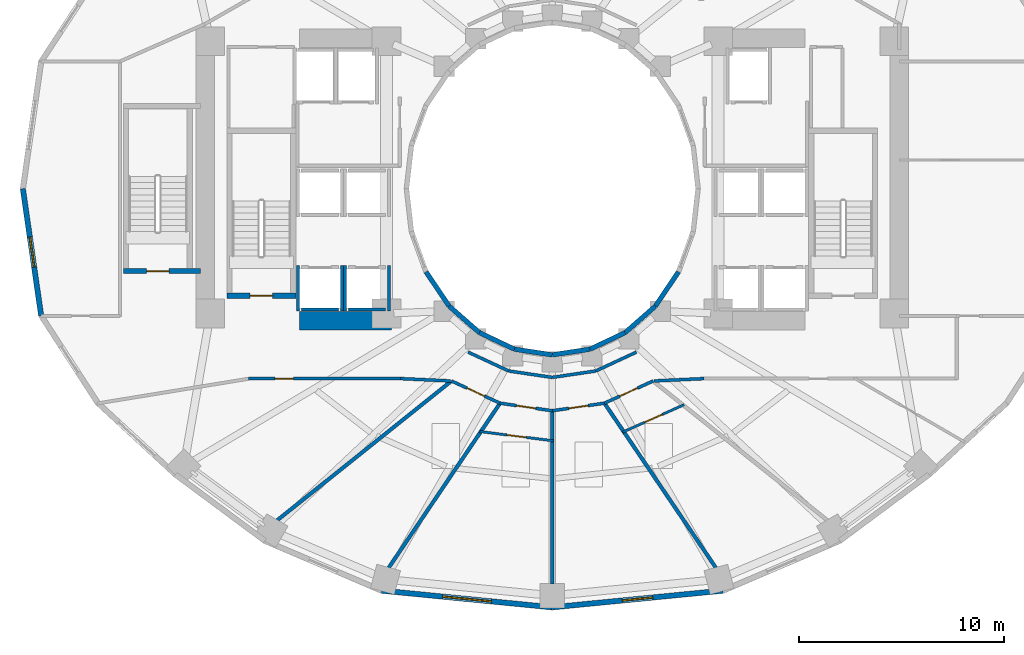
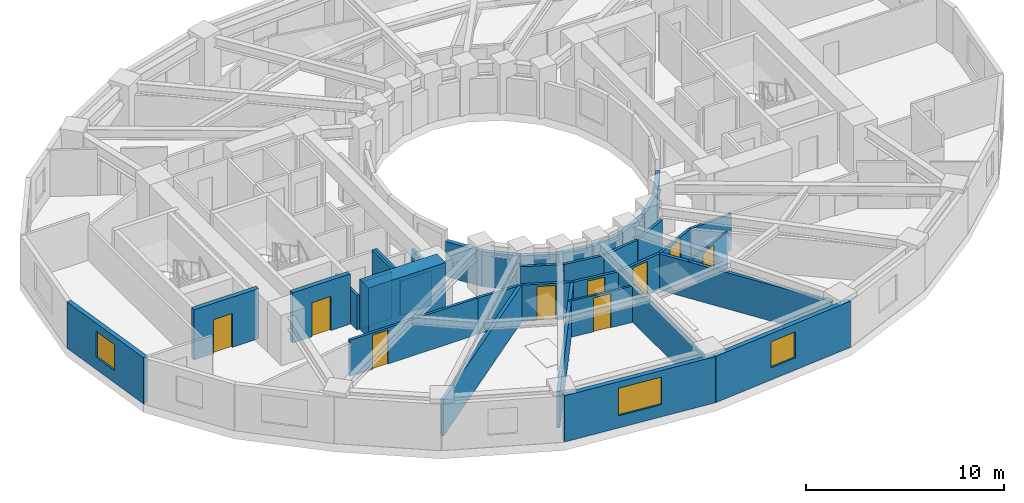
# One storey, part 3 of 9: 37 walls, 9 doors, 3 windows, 12 openings.
"""IFC4 building model written with IfcOpenShell, lengths in metres."""

from ifc_helpers import new_model, si_unit, direction, frame, frame_2d, origin, place, context, subcontext, project, spatial, rectangle, extrude, material, layer, layer_set, type_object, element, fill, save


model = new_model("IFC4")

# Units and contexts
model_context = context("Model", 3, precision=1e-05, world=origin(), true_north=direction((0.0, 1.0)))
body_context = subcontext(model_context, "Body", "Model", "MODEL_VIEW")
ifc_project = project(units=[si_unit("LENGTHUNIT", "METRE"), si_unit("AREAUNIT", "SQUARE_METRE"), si_unit("VOLUMEUNIT", "CUBIC_METRE"), si_unit("PLANEANGLEUNIT", "RADIAN"), si_unit("MASSUNIT", "GRAM", prefix="KILO")], contexts=[model_context])

# Site, building, storey
site_placement = place(None, origin())
site = spatial("IfcSite", under=ifc_project, at=site_placement, CompositionType="ELEMENT")
building_placement = place(site_placement, origin())
building = spatial("IfcBuilding", under=site, at=building_placement, Name="Solvane Sanctuary Tower", CompositionType="ELEMENT")
storey_placement = place(building_placement, frame((0.0, 0.0, 55.5)))
storey = spatial("IfcBuildingStorey", under=building, at=storey_placement, Name="L16", CompositionType="ELEMENT", Elevation=55.5)

# Walls
ifc_material_1 = material(Name="Concrete C70/85", Category="concrete")
ifc_layer_1 = layer(ifc_material_1, 0.89990234375, Name="Concrete C70/85")
ifc_layer_set_1 = layer_set([ifc_layer_1], Name="Concrete C70/85")
wall_type_1 = type_object("IfcWallType", Name="Wall W-CORE-900", PredefinedType="SHEAR", material=ifc_layer_set_1)
wall_1_placement = place(storey_placement, frame((19.64990234375, 16.550048828125, 0.0), z_axis=(0.0, 0.0, 1.0), x_axis=(1.0, 0.0, 0.0)))
element("IfcWall", 1, at=wall_1_placement, inside=storey, type_object=wall_type_1, Name="L16 Core Shear Wall WC-S", PredefinedType="SHEAR", context=body_context, shape_type="SweptSolid", body=[
    extrude(rectangle(XDim=4.5, YDim=0.89990234375, at=frame_2d((2.25, 0.0))), origin(), (0.0, 0.0, 1.0), 3.10009765625),
])
ifc_material_2 = material(Name="Acoustic Gypsum Partition Board")
ifc_layer_2 = layer(ifc_material_2, 0.14990234375, Name="Acoustic Gypsum Partition Board")
ifc_layer_set_2 = layer_set([ifc_layer_2], Name="Acoustic Gypsum Partition Board")
wall_type_2 = type_object("IfcWallType", Name="Wall W-CORR-150", PredefinedType="PARTITIONING", material=ifc_layer_set_2)
wall_2_placement = place(storey_placement, frame((27.889892578125, 15.01513671875, 0.0), z_axis=(0.0, 0.0, 1.0), x_axis=(0.906943449489, -0.421252393975, 0.0)))
element("IfcWall", 2, at=wall_2_placement, inside=storey, type_object=wall_type_2, Name="L16 Light-Well Corridor Rim Wall S1", PredefinedType="PARTITIONING", context=body_context, shape_type="SweptSolid", body=[
    extrude(rectangle(XDim=2.18603515625, YDim=0.14990234375, at=frame_2d((1.093017578125, 0.0))), origin(), (0.0, 0.0, 1.0), 2.237060546875),
])
for number, where, z_axis, x_axis, name in (
    (3, (29.87255859375, 14.09423828125, 0.0), (0.0, 0.0, 1.0), (0.989268584896, -0.146108408166, 0.0), "L16 Light-Well Corridor Rim Wall S2"),
    (4, (32.0, 13.780029296875, 0.0), (0.0, 0.0, 1.0), (0.989268584896, 0.146108408166, 0.0), "L16 Light-Well Corridor Rim Wall S3"),
):
    element("IfcWall", number, at=place(storey_placement, frame(where, z_axis=z_axis, x_axis=x_axis)), inside=storey, type_object=wall_type_2, Name=name, PredefinedType="PARTITIONING", context=body_context, shape_type="SweptSolid", body=[
        extrude(rectangle(XDim=2.150634765625, YDim=0.14990234375, at=frame_2d((1.0751953125, 0.0))), origin(), (0.0, 0.0, 1.0), 2.237060546875),
    ])
wall_3_placement = place(storey_placement, frame((34.12744140625, 14.09423828125, 0.0), z_axis=(0.0, 0.0, 1.0), x_axis=(0.906943449489, 0.421252393975, 0.0)))
element("IfcWall", 5, at=wall_3_placement, inside=storey, type_object=wall_type_2, Name="L16 Light-Well Corridor Rim Wall S4", PredefinedType="PARTITIONING", context=body_context, shape_type="SweptSolid", body=[
    extrude(rectangle(XDim=2.18603515625, YDim=0.14990234375, at=frame_2d((1.093017578125, 0.0))), origin(), (0.0, 0.0, 1.0), 2.237060546875),
])
wall_4_placement = place(storey_placement, frame((27.02001953125, 13.606201171875, 0.0), z_axis=(0.0, 0.0, 1.0), x_axis=(-0.998877427952, 0.047369651964, 0.0)))
element("IfcWall", 6, at=wall_4_placement, inside=storey, type_object=wall_type_2, Name="L16 SW Corner Throat Wall", PredefinedType="PARTITIONING", context=body_context, shape_type="SweptSolid", body=[
    extrude(rectangle(XDim=2.4326171875, YDim=0.14990234375, at=frame_2d((1.21630859375, 0.0))), origin(), (0.0, 0.0, 1.0), 2.237060546875),
])

# Wall, opening, door
wall_5_placement = place(storey_placement, frame((17.14990234375, 13.719970703125, 0.0), z_axis=(0.0, 0.0, 1.0), x_axis=(1.0, 0.0, 0.0)))
wall_5 = element("IfcWall", 7, at=wall_5_placement, inside=storey, type_object=wall_type_2, Name="L16 SW Corner Corridor Wall", PredefinedType="PARTITIONING", context=body_context, shape_type="SweptSolid", body=[
    extrude(rectangle(XDim=7.52001953125, YDim=0.14990234375, at=frame_2d((3.760009765625, 0.0))), origin(), (0.0, 0.0, 1.0), 2.237060546875),
])
opening_1_placement = place(wall_5_placement, frame((1.300048828125, 0.0, 0.0)))
opening_1 = element("IfcOpeningElement", 8, at=opening_1_placement, cuts=wall_5, Name="Opening D-L16-15", PredefinedType="OPENING", context=body_context, shape_type="SweptSolid", body=[
    extrude(rectangle(XDim=0.89990234375, YDim=2.10009765625, at=frame_2d((0.449951171875, 1.050048828125))), frame((0.0, 0.0849609375, 0.0), z_axis=(0.0, -1.0, 0.0), x_axis=(1.0, 0.0, 0.0)), (0.0, 0.0, 1.0), 0.169921875),
])
ifc_material_3 = material(Name="Engineered Tropical Hardwood", Category="wood")
door_type_1 = type_object("IfcDoorType", Name="Door D-WET-900", OperationType="NOTDEFINED", PredefinedType="DOOR", material=ifc_material_3)
door_1_placement = place(opening_1_placement, origin())
door_1 = element("IfcDoor", 9, at=door_1_placement, inside=storey, type_object=door_type_1, Name="L16 SW Corner Salon Door", OperationType="SINGLE_SWING_LEFT", OverallHeight=2.10009765625, OverallWidth=0.89990234375, PredefinedType="DOOR", context=body_context, shape_type="SweptSolid", body=[
    extrude(rectangle(XDim=0.89990234375, YDim=2.10009765625, at=frame_2d((0.449951171875, 1.050048828125))), frame((0.0, 0.02490234375, 0.0), z_axis=(0.0, -1.0, 0.0), x_axis=(1.0, 0.0, 0.0)), (0.0, 0.0, 1.0), 0.050048828125),
])
fill(opening_1, door_1)

# Wall
wall_6_placement = place(storey_placement, frame((36.97998046875, 13.606201171875, 0.0), z_axis=(0.0, 0.0, 1.0), x_axis=(0.998877427952, 0.047369651964, 0.0)))
element("IfcWall", 10, at=wall_6_placement, inside=storey, type_object=wall_type_2, Name="L16 SE Corner Throat Wall", PredefinedType="PARTITIONING", context=body_context, shape_type="SweptSolid", body=[
    extrude(rectangle(XDim=2.4326171875, YDim=0.14990234375, at=frame_2d((1.21630859375, 0.0))), origin(), (0.0, 0.0, 1.0), 2.237060546875),
])

# Wall, opening, door
wall_7_placement = place(storey_placement, frame((27.069091796875, 13.607421875, 0.0), z_axis=(0.0, 0.0, 1.0), x_axis=(0.909747571199, -0.415161843982, 0.0)))
wall_7 = element("IfcWall", 11, at=wall_7_placement, inside=storey, type_object=wall_type_2, Name="L16 Unit Corridor Wall S1", PredefinedType="PARTITIONING", context=body_context, shape_type="SweptSolid", body=[
    extrude(rectangle(XDim=2.625, YDim=0.14990234375, at=frame_2d((1.3125, 0.0))), origin(), (0.0, 0.0, 1.0), 2.237060546875),
])
opening_2_placement = place(wall_7_placement, frame((0.837646484375, 0.0, 0.0)))
opening_2 = element("IfcOpeningElement", 12, at=opening_2_placement, cuts=wall_7, Name="Opening D-L16-23", PredefinedType="OPENING", context=body_context, shape_type="SweptSolid", body=[
    extrude(rectangle(XDim=0.949951171875, YDim=2.10009765625, at=frame_2d((0.47509765625, 1.050048828125))), frame((0.0, 0.0849609375, 0.0), z_axis=(0.0, -1.0, 0.0), x_axis=(1.0, 0.0, 0.0)), (0.0, 0.0, 1.0), 0.169921875),
])
door_type_2 = type_object("IfcDoorType", Name="Door D-ROOM-950", OperationType="NOTDEFINED", PredefinedType="DOOR", material=ifc_material_3)
door_2_placement = place(opening_2_placement, origin())
door_2 = element("IfcDoor", 13, at=door_2_placement, inside=storey, type_object=door_type_2, Name="L16 Unit Entrance Door S1", OperationType="SINGLE_SWING_LEFT", OverallHeight=2.10009765625, OverallWidth=0.949951171875, PredefinedType="DOOR", context=body_context, shape_type="SweptSolid", body=[
    extrude(rectangle(XDim=0.949951171875, YDim=2.10009765625, at=frame_2d((0.47509765625, 1.050048828125))), frame((0.0, 0.02490234375, 0.0), z_axis=(0.0, -1.0, 0.0), x_axis=(1.0, 0.0, 0.0)), (0.0, 0.0, 1.0), 0.050048828125),
])
fill(opening_2, door_2)

wall_8_placement = place(storey_placement, frame((29.444091796875, 12.521728515625, 0.0), z_axis=(0.0, 0.0, 1.0), x_axis=(0.989637894688, -0.143585644814, 0.0)))
wall_8 = element("IfcWall", 14, at=wall_8_placement, inside=storey, type_object=wall_type_2, Name="L16 Unit Corridor Wall S2", PredefinedType="PARTITIONING", context=body_context, shape_type="SweptSolid", body=[
    extrude(rectangle(XDim=2.589599609375, YDim=0.14990234375, at=frame_2d((1.294921875, 0.0))), origin(), (0.0, 0.0, 1.0), 2.237060546875),
])
opening_3_placement = place(wall_8_placement, frame((0.81982421875, 0.0, 0.0)))
opening_3 = element("IfcOpeningElement", 15, at=opening_3_placement, cuts=wall_8, Name="Opening D-L16-25", PredefinedType="OPENING", context=body_context, shape_type="SweptSolid", body=[
    extrude(rectangle(XDim=0.949951171875, YDim=2.10009765625, at=frame_2d((0.47509765625, 1.050048828125))), frame((0.0, 0.0849609375, 0.0), z_axis=(0.0, -1.0, 0.0), x_axis=(1.0, 0.0, 0.0)), (0.0, 0.0, 1.0), 0.169921875),
])
door_3_placement = place(opening_3_placement, origin())
door_3 = element("IfcDoor", 16, at=door_3_placement, inside=storey, type_object=door_type_2, Name="L16 Unit Entrance Door S2", OperationType="SINGLE_SWING_LEFT", OverallHeight=2.10009765625, OverallWidth=0.949951171875, PredefinedType="DOOR", context=body_context, shape_type="SweptSolid", body=[
    extrude(rectangle(XDim=0.949951171875, YDim=2.10009765625, at=frame_2d((0.47509765625, 1.050048828125))), frame((0.0, 0.02490234375, 0.0), z_axis=(0.0, -1.0, 0.0), x_axis=(1.0, 0.0, 0.0)), (0.0, 0.0, 1.0), 0.050048828125),
])
fill(opening_3, door_3)

wall_9_placement = place(storey_placement, frame((31.9931640625, 12.14990234375, 0.0), z_axis=(0.0, 0.0, 1.0), x_axis=(0.989637894688, 0.143585644814, 0.0)))
wall_9 = element("IfcWall", 17, at=wall_9_placement, inside=storey, type_object=wall_type_2, Name="L16 Unit Corridor Wall S3", PredefinedType="PARTITIONING", context=body_context, shape_type="SweptSolid", body=[
    extrude(rectangle(XDim=2.589599609375, YDim=0.14990234375, at=frame_2d((1.294921875, 0.0))), origin(), (0.0, 0.0, 1.0), 2.237060546875),
])
opening_4_placement = place(wall_9_placement, frame((0.81982421875, 0.0, 0.0)))
opening_4 = element("IfcOpeningElement", 18, at=opening_4_placement, cuts=wall_9, Name="Opening D-L16-26", PredefinedType="OPENING", context=body_context, shape_type="SweptSolid", body=[
    extrude(rectangle(XDim=0.949951171875, YDim=2.10009765625, at=frame_2d((0.47509765625, 1.050048828125))), frame((0.0, 0.0849609375, 0.0), z_axis=(0.0, -1.0, 0.0), x_axis=(1.0, 0.0, 0.0)), (0.0, 0.0, 1.0), 0.169921875),
])
door_4_placement = place(opening_4_placement, origin())
door_4 = element("IfcDoor", 19, at=door_4_placement, inside=storey, type_object=door_type_2, Name="L16 Unit Entrance Door S3", OperationType="SINGLE_SWING_RIGHT", OverallHeight=2.10009765625, OverallWidth=0.949951171875, PredefinedType="DOOR", context=body_context, shape_type="SweptSolid", body=[
    extrude(rectangle(XDim=0.949951171875, YDim=2.10009765625, at=frame_2d((0.47509765625, 1.050048828125))), frame((0.0, 0.02490234375, 0.0), z_axis=(0.0, -1.0, 0.0), x_axis=(1.0, 0.0, 0.0)), (0.0, 0.0, 1.0), 0.050048828125),
])
fill(opening_4, door_4)

wall_10_placement = place(storey_placement, frame((34.542724609375, 12.517578125, 0.0), z_axis=(0.0, 0.0, 1.0), x_axis=(0.909747571199, 0.415161843982, 0.0)))
wall_10 = element("IfcWall", 20, at=wall_10_placement, inside=storey, type_object=wall_type_2, Name="L16 Unit Corridor Wall S4", PredefinedType="PARTITIONING", context=body_context, shape_type="SweptSolid", body=[
    extrude(rectangle(XDim=2.625, YDim=0.14990234375, at=frame_2d((1.3125, 0.0))), origin(), (0.0, 0.0, 1.0), 2.237060546875),
])
opening_5_placement = place(wall_10_placement, frame((0.837646484375, 0.0, 0.0)))
opening_5 = element("IfcOpeningElement", 21, at=opening_5_placement, cuts=wall_10, Name="Opening D-L16-28", PredefinedType="OPENING", context=body_context, shape_type="SweptSolid", body=[
    extrude(rectangle(XDim=0.949951171875, YDim=2.10009765625, at=frame_2d((0.47509765625, 1.050048828125))), frame((0.0, 0.0849609375, 0.0), z_axis=(0.0, -1.0, 0.0), x_axis=(1.0, 0.0, 0.0)), (0.0, 0.0, 1.0), 0.169921875),
])
door_5_placement = place(opening_5_placement, origin())
door_5 = element("IfcDoor", 22, at=door_5_placement, inside=storey, type_object=door_type_2, Name="L16 Unit Entrance Door S4", OperationType="SINGLE_SWING_RIGHT", OverallHeight=2.10009765625, OverallWidth=0.949951171875, PredefinedType="DOOR", context=body_context, shape_type="SweptSolid", body=[
    extrude(rectangle(XDim=0.949951171875, YDim=2.10009765625, at=frame_2d((0.47509765625, 1.050048828125))), frame((0.0, 0.02490234375, 0.0), z_axis=(0.0, -1.0, 0.0), x_axis=(1.0, 0.0, 0.0)), (0.0, 0.0, 1.0), 0.050048828125),
])
fill(opening_5, door_5)

# Wall, opening, window
ifc_material_4 = material(Name="Precast concrete C40/50", Category="concrete")
ifc_layer_3 = layer(ifc_material_4, 0.260009765625, Name="Precast concrete C40/50")
ifc_layer_set_3 = layer_set([ifc_layer_3], Name="Precast concrete C40/50")
wall_type_3 = type_object("IfcWallType", Name="Wall W-EXT-250", PredefinedType="STANDARD", material=ifc_layer_set_3)
wall_11_placement = place(storey_placement, frame((6.139892578125, 23.0, 0.0), z_axis=(0.0, 0.0, 1.0), x_axis=(0.142528001686, -0.989790770181, 0.0)))
wall_11 = element("IfcWall", 23, at=wall_11_placement, inside=storey, type_object=wall_type_3, Name="L16 Ceramic-Printed Facade Wall 12", PredefinedType="STANDARD", context=body_context, shape_type="SweptSolid", body=[
    extrude(rectangle(XDim=6.269287109375, YDim=0.260009765625, at=frame_2d((3.134765625, 0.0))), origin(), (0.0, 0.0, 1.0), 2.85009765625),
])
opening_6_placement = place(wall_11_placement, frame((2.384521484375, 0.0, 0.75)))
opening_6 = element("IfcOpeningElement", 24, at=opening_6_placement, cuts=wall_11, Name="Opening WN-OPER-1500", PredefinedType="OPENING", context=body_context, shape_type="SweptSolid", body=[
    extrude(rectangle(XDim=1.5, YDim=1.60009765625, at=frame_2d((0.75, 0.800048828125))), frame((0.0, 0.139892578125, 0.0), z_axis=(0.0, -1.0, 0.0), x_axis=(1.0, 0.0, 0.0)), (0.0, 0.0, 1.0), 0.280029296875),
])
ifc_material_5 = material(Name="Dark Ceramic-Fritted Low-E Glass", Category="glass")
window_type_1 = type_object("IfcWindowType", Name="Window WN-OPER-1500", PartitioningType="SINGLE_PANEL", PredefinedType="WINDOW", material=ifc_material_5)
window_1_placement = place(opening_6_placement, origin())
window_1 = element("IfcWindow", 25, at=window_1_placement, inside=storey, type_object=window_type_1, Name="L16 Operable Facade Window 12", OverallHeight=1.60009765625, OverallWidth=1.5, PartitioningType="SINGLE_PANEL", PredefinedType="WINDOW", context=body_context, shape_type="SweptSolid", body=[
    extrude(rectangle(XDim=1.5, YDim=1.60009765625, at=frame_2d((0.75, 0.800048828125))), frame((0.0, 0.030029296875, 0.0), z_axis=(0.0, -1.0, 0.0), x_axis=(1.0, 0.0, 0.0)), (0.0, 0.0, 1.0), 0.06005859375),
])
fill(opening_6, window_1)

wall_12_placement = place(storey_placement, frame((23.668212890625, 3.36376953125, 0.0), z_axis=(0.0, 0.0, 1.0), x_axis=(0.995247718352, -0.097375454379, 0.0)))
wall_12 = element("IfcWall", 26, at=wall_12_placement, inside=storey, type_object=wall_type_3, Name="L16 Ceramic-Printed Facade Wall 17", PredefinedType="STANDARD", context=body_context, shape_type="SweptSolid", body=[
    extrude(rectangle(XDim=8.37158203125, YDim=0.260009765625, at=frame_2d((4.185791015625, 0.0))), origin(), (0.0, 0.0, 1.0), 2.85009765625),
])
opening_7_placement = place(wall_12_placement, frame((2.985595703125, 0.0, 0.75)))
opening_7 = element("IfcOpeningElement", 27, at=opening_7_placement, cuts=wall_12, Name="Opening WN-RIB-2400", PredefinedType="OPENING", context=body_context, shape_type="SweptSolid", body=[
    extrude(rectangle(XDim=2.39990234375, YDim=1.699951171875, at=frame_2d((1.199951171875, 0.85009765625))), frame((0.0, 0.139892578125, 0.0), z_axis=(0.0, -1.0, 0.0), x_axis=(1.0, 0.0, 0.0)), (0.0, 0.0, 1.0), 0.280029296875),
])
window_type_2 = type_object("IfcWindowType", Name="Window WN-RIB-2400", PartitioningType="SINGLE_PANEL", PredefinedType="WINDOW", material=ifc_material_5)
window_2_placement = place(opening_7_placement, origin())
window_2 = element("IfcWindow", 28, at=window_2_placement, inside=storey, type_object=window_type_2, Name="L16 Operable Facade Window 17", OverallHeight=1.699951171875, OverallWidth=2.39990234375, PartitioningType="SINGLE_PANEL", PredefinedType="WINDOW", context=body_context, shape_type="SweptSolid", body=[
    extrude(rectangle(XDim=2.39990234375, YDim=1.699951171875, at=frame_2d((1.199951171875, 0.85009765625))), frame((0.0, 0.030029296875, 0.0), z_axis=(0.0, -1.0, 0.0), x_axis=(1.0, 0.0, 0.0)), (0.0, 0.0, 1.0), 0.06005859375),
])
fill(opening_7, window_2)

wall_13_placement = place(storey_placement, frame((32.0, 2.548583984375, 0.0), z_axis=(0.0, 0.0, 1.0), x_axis=(0.995247718352, 0.097375454379, 0.0)))
wall_13 = element("IfcWall", 29, at=wall_13_placement, inside=storey, type_object=wall_type_3, Name="L16 Ceramic-Printed Facade Wall 18", PredefinedType="STANDARD", context=body_context, shape_type="SweptSolid", body=[
    extrude(rectangle(XDim=8.37158203125, YDim=0.260009765625, at=frame_2d((4.185791015625, 0.0))), origin(), (0.0, 0.0, 1.0), 2.85009765625),
])
opening_8_placement = place(wall_13_placement, frame((3.435791015625, 0.0, 0.75)))
opening_8 = element("IfcOpeningElement", 30, at=opening_8_placement, cuts=wall_13, Name="Opening WN-OPER-1500", PredefinedType="OPENING", context=body_context, shape_type="SweptSolid", body=[
    extrude(rectangle(XDim=1.5, YDim=1.60009765625, at=frame_2d((0.75, 0.800048828125))), frame((0.0, 0.139892578125, 0.0), z_axis=(0.0, -1.0, 0.0), x_axis=(1.0, 0.0, 0.0)), (0.0, 0.0, 1.0), 0.280029296875),
])
window_3_placement = place(opening_8_placement, origin())
window_3 = element("IfcWindow", 31, at=window_3_placement, inside=storey, type_object=window_type_1, Name="L16 Operable Facade Window 18", OverallHeight=1.60009765625, OverallWidth=1.5, PartitioningType="SINGLE_PANEL", PredefinedType="WINDOW", context=body_context, shape_type="SweptSolid", body=[
    extrude(rectangle(XDim=1.5, YDim=1.60009765625, at=frame_2d((0.75, 0.800048828125))), frame((0.0, 0.030029296875, 0.0), z_axis=(0.0, -1.0, 0.0), x_axis=(1.0, 0.0, 0.0)), (0.0, 0.0, 1.0), 0.06005859375),
])
fill(opening_8, window_3)

# Walls
ifc_layer_4 = layer(ifc_material_4, 0.22998046875, Name="Precast concrete C40/50")
ifc_layer_set_4 = layer_set([ifc_layer_4], Name="Precast concrete C40/50")
wall_type_4 = type_object("IfcWallType", Name="Wall W-EXT-SP220", PredefinedType="STANDARD", material=ifc_layer_set_4)
wall_14_placement = place(storey_placement, frame((25.833984375, 18.93994140625, 0.0), z_axis=(0.0, 0.0, 1.0), x_axis=(0.558197800898, -0.829707909492, 0.0)))
element("IfcWall", 32, at=wall_14_placement, inside=storey, type_object=wall_type_4, Name="L16 Central Light-Well Wall 14", PredefinedType="STANDARD", context=body_context, shape_type="SweptSolid", body=[
    extrude(rectangle(XDim=2.02685546875, YDim=0.22998046875, at=frame_2d((1.013427734375, 0.0))), origin(), (0.0, 0.0, 1.0), 2.159912109375),
])
wall_15_placement = place(storey_placement, frame((26.96533203125, 17.25830078125, 0.0), z_axis=(0.0, 0.0, 1.0), x_axis=(0.752576694707, -0.658504607869, 0.0)))
element("IfcWall", 33, at=wall_15_placement, inside=storey, type_object=wall_type_4, Name="L16 Central Light-Well Wall 15", PredefinedType="STANDARD", context=body_context, shape_type="SweptSolid", body=[
    extrude(rectangle(XDim=1.95947265625, YDim=0.22998046875, at=frame_2d((0.979736328125, 0.0))), origin(), (0.0, 0.0, 1.0), 2.159912109375),
])
wall_16_placement = place(storey_placement, frame((28.43994140625, 15.968017578125, 0.0), z_axis=(0.0, 0.0, 1.0), x_axis=(0.904179699603, -0.427152280606, 0.0)))
element("IfcWall", 34, at=wall_16_placement, inside=storey, type_object=wall_type_4, Name="L16 Central Light-Well Wall 16", PredefinedType="STANDARD", context=body_context, shape_type="SweptSolid", body=[
    extrude(rectangle(XDim=1.899169921875, YDim=0.22998046875, at=frame_2d((0.94970703125, 0.0))), origin(), (0.0, 0.0, 1.0), 2.159912109375),
])
for number, where, z_axis, x_axis, name in (
    (35, (30.1572265625, 15.15673828125, 0.0), (0.0, 0.0, 1.0), (0.988901730308, -0.148571086668, 0.0), "L16 Central Light-Well Wall 17"),
    (36, (32.0, 14.8798828125, 0.0), (0.0, 0.0, 1.0), (0.988901730308, 0.148571086668, 0.0), "L16 Central Light-Well Wall 18"),
):
    element("IfcWall", number, at=place(storey_placement, frame(where, z_axis=z_axis, x_axis=x_axis)), inside=storey, type_object=wall_type_4, Name=name, PredefinedType="STANDARD", context=body_context, shape_type="SweptSolid", body=[
        extrude(rectangle(XDim=1.863525390625, YDim=0.22998046875, at=frame_2d((0.931640625, 0.0))), origin(), (0.0, 0.0, 1.0), 2.159912109375),
    ])
wall_17_placement = place(storey_placement, frame((33.8427734375, 15.15673828125, 0.0), z_axis=(0.0, 0.0, 1.0), x_axis=(0.904179699603, 0.427152280606, 0.0)))
element("IfcWall", 37, at=wall_17_placement, inside=storey, type_object=wall_type_4, Name="L16 Central Light-Well Wall 19", PredefinedType="STANDARD", context=body_context, shape_type="SweptSolid", body=[
    extrude(rectangle(XDim=1.899169921875, YDim=0.22998046875, at=frame_2d((0.94970703125, 0.0))), origin(), (0.0, 0.0, 1.0), 2.159912109375),
])
wall_18_placement = place(storey_placement, frame((35.56005859375, 15.968017578125, 0.0), z_axis=(0.0, 0.0, 1.0), x_axis=(0.752576694707, 0.658504607869, 0.0)))
element("IfcWall", 38, at=wall_18_placement, inside=storey, type_object=wall_type_4, Name="L16 Central Light-Well Wall 20", PredefinedType="STANDARD", context=body_context, shape_type="SweptSolid", body=[
    extrude(rectangle(XDim=1.95947265625, YDim=0.22998046875, at=frame_2d((0.979736328125, 0.0))), origin(), (0.0, 0.0, 1.0), 2.159912109375),
])
wall_19_placement = place(storey_placement, frame((37.03466796875, 17.25830078125, 0.0), z_axis=(0.0, 0.0, 1.0), x_axis=(0.558197800898, 0.829707909492, 0.0)))
element("IfcWall", 39, at=wall_19_placement, inside=storey, type_object=wall_type_4, Name="L16 Central Light-Well Wall 21", PredefinedType="STANDARD", context=body_context, shape_type="SweptSolid", body=[
    extrude(rectangle(XDim=2.02685546875, YDim=0.22998046875, at=frame_2d((1.013427734375, 0.0))), origin(), (0.0, 0.0, 1.0), 2.159912109375),
])

# Wall, opening, door
ifc_layer_5 = layer(ifc_material_2, 0.1201171875, Name="Acoustic Gypsum Partition Board")
ifc_layer_set_5 = layer_set([ifc_layer_5], Name="Acoustic Gypsum Partition Board")
wall_type_5 = type_object("IfcWallType", Name="Wall W-MOV-100", PredefinedType="MOVABLE", material=ifc_layer_set_5)
wall_20_placement = place(storey_placement, frame((28.4599609375, 11.135986328125, 0.0), z_axis=(0.0, 0.0, 1.0), x_axis=(0.99214337853, -0.125106020798, 0.0)))
wall_20 = element("IfcWall", 40, at=wall_20_placement, inside=storey, type_object=wall_type_5, Name="L16 Suite Sitting Lounge Partition S2", PredefinedType="MOVABLE", context=body_context, shape_type="SweptSolid", body=[
    extrude(rectangle(XDim=3.617919921875, YDim=0.1201171875, at=frame_2d((1.80908203125, 0.0))), origin(), (0.0, 0.0, 1.0), 2.237060546875),
])
opening_9_placement = place(wall_20_placement, frame((1.333984375, 0.0, 0.0)))
opening_9 = element("IfcOpeningElement", 41, at=opening_9_placement, cuts=wall_20, Name="Opening D-L16-24", PredefinedType="OPENING", context=body_context, shape_type="SweptSolid", body=[
    extrude(rectangle(XDim=0.949951171875, YDim=2.10009765625, at=frame_2d((0.47509765625, 1.050048828125))), frame((0.0, 0.070068359375, 0.0), z_axis=(0.0, -1.0, 0.0), x_axis=(1.0, 0.0, 0.0)), (0.0, 0.0, 1.0), 0.14013671875),
])
door_6_placement = place(opening_9_placement, origin())
door_6 = element("IfcDoor", 42, at=door_6_placement, inside=storey, type_object=door_type_2, Name="L16 Suite Sitting Lounge Door S2", OperationType="SINGLE_SWING_RIGHT", OverallHeight=2.10009765625, OverallWidth=0.949951171875, PredefinedType="DOOR", context=body_context, shape_type="SweptSolid", body=[
    extrude(rectangle(XDim=0.949951171875, YDim=2.10009765625, at=frame_2d((0.47509765625, 1.050048828125))), frame((0.0, 0.02490234375, 0.0), z_axis=(0.0, -1.0, 0.0), x_axis=(1.0, 0.0, 0.0)), (0.0, 0.0, 1.0), 0.050048828125),
])
fill(opening_9, door_6)

wall_21_placement = place(storey_placement, frame((35.44482421875, 11.109130859375, 0.0), z_axis=(0.0, 0.0, 1.0), x_axis=(0.913036999281, 0.407876743569, 0.0)))
wall_21 = element("IfcWall", 43, at=wall_21_placement, inside=storey, type_object=wall_type_5, Name="L16 Suite Sitting Lounge Partition S4", PredefinedType="MOVABLE", context=body_context, shape_type="SweptSolid", body=[
    extrude(rectangle(XDim=3.282470703125, YDim=0.1201171875, at=frame_2d((1.64111328125, 0.0))), origin(), (0.0, 0.0, 1.0), 2.237060546875),
])
opening_10_placement = place(wall_21_placement, frame((1.166259765625, 0.0, 0.0)))
opening_10 = element("IfcOpeningElement", 44, at=opening_10_placement, cuts=wall_21, Name="Opening D-L16-27", PredefinedType="OPENING", context=body_context, shape_type="SweptSolid", body=[
    extrude(rectangle(XDim=0.949951171875, YDim=2.10009765625, at=frame_2d((0.47509765625, 1.050048828125))), frame((0.0, 0.070068359375, 0.0), z_axis=(0.0, -1.0, 0.0), x_axis=(1.0, 0.0, 0.0)), (0.0, 0.0, 1.0), 0.14013671875),
])
door_7_placement = place(opening_10_placement, origin())
door_7 = element("IfcDoor", 45, at=door_7_placement, inside=storey, type_object=door_type_2, Name="L16 Suite Sitting Lounge Door S4", OperationType="SINGLE_SWING_LEFT", OverallHeight=2.10009765625, OverallWidth=0.949951171875, PredefinedType="DOOR", context=body_context, shape_type="SweptSolid", body=[
    extrude(rectangle(XDim=0.949951171875, YDim=2.10009765625, at=frame_2d((0.47509765625, 1.050048828125))), frame((0.0, 0.02490234375, 0.0), z_axis=(0.0, -1.0, 0.0), x_axis=(1.0, 0.0, 0.0)), (0.0, 0.0, 1.0), 0.050048828125),
])
fill(opening_10, door_7)

# Walls
ifc_material_6 = material(Name="Concrete C50/60", Category="concrete")
ifc_layer_6 = layer(ifc_material_6, 0.14990234375, Name="Concrete C50/60")
ifc_layer_set_6 = layer_set([ifc_layer_6], Name="Concrete C50/60")
wall_type_6 = type_object("IfcWallType", Name="Wall W-SHAFT-150", PredefinedType="SOLIDWALL", material=ifc_layer_set_6)
wall_22_placement = place(storey_placement, frame((19.739990234375, 17.10009765625, 0.0), z_axis=(0.0, 0.0, 1.0), x_axis=(1.0, 0.0, 0.0)))
element("IfcWall", 46, at=wall_22_placement, inside=storey, type_object=wall_type_6, Name="L16 PL-1 Lift Shaft Wall B", PredefinedType="SOLIDWALL", context=body_context, shape_type="SweptSolid", body=[
    extrude(rectangle(XDim=1.820068359375, YDim=0.14990234375, at=frame_2d((0.91015625, 0.0))), origin(), (0.0, 0.0, 1.0), 2.85498046875),
])
wall_23_placement = place(storey_placement, frame((19.570068359375, 17.02001953125, 0.0), z_axis=(0.0, 0.0, 1.0), x_axis=(0.0, 1.0, 0.0)))
element("IfcWall", 47, at=wall_23_placement, inside=storey, type_object=wall_type_6, Name="L16 PL-1 Lift Shaft Wall S1", PredefinedType="SOLIDWALL", context=body_context, shape_type="SweptSolid", body=[
    extrude(rectangle(XDim=2.219970703125, YDim=0.14990234375, at=frame_2d((1.10986328125, 0.0))), origin(), (0.0, 0.0, 1.0), 2.1201171875),
])
wall_24_placement = place(storey_placement, frame((21.72998046875, 17.02001953125, 0.0), z_axis=(0.0, 0.0, 1.0), x_axis=(0.0, 1.0, 0.0)))
element("IfcWall", 48, at=wall_24_placement, inside=storey, type_object=wall_type_6, Name="L16 PL-1 Lift Shaft Wall S2", PredefinedType="SOLIDWALL", context=body_context, shape_type="SweptSolid", body=[
    extrude(rectangle(XDim=2.219970703125, YDim=0.14990234375, at=frame_2d((1.10986328125, 0.0))), origin(), (0.0, 0.0, 1.0), 2.85498046875),
])
wall_25_placement = place(storey_placement, frame((22.0400390625, 17.10009765625, 0.0), z_axis=(0.0, 0.0, 1.0), x_axis=(1.0, 0.0, 0.0)))
element("IfcWall", 49, at=wall_25_placement, inside=storey, type_object=wall_type_6, Name="L16 PL-2 Lift Shaft Wall B", PredefinedType="SOLIDWALL", context=body_context, shape_type="SweptSolid", body=[
    extrude(rectangle(XDim=1.820068359375, YDim=0.14990234375, at=frame_2d((0.91015625, 0.0))), origin(), (0.0, 0.0, 1.0), 2.1201171875),
])
wall_26_placement = place(storey_placement, frame((21.8701171875, 17.02001953125, 0.0), z_axis=(0.0, 0.0, 1.0), x_axis=(0.0, 1.0, 0.0)))
element("IfcWall", 50, at=wall_26_placement, inside=storey, type_object=wall_type_6, Name="L16 PL-2 Lift Shaft Wall S1", PredefinedType="SOLIDWALL", context=body_context, shape_type="SweptSolid", body=[
    extrude(rectangle(XDim=2.219970703125, YDim=0.14990234375, at=frame_2d((1.10986328125, 0.0))), origin(), (0.0, 0.0, 1.0), 2.85498046875),
])
wall_27_placement = place(storey_placement, frame((24.030029296875, 17.02001953125, 0.0), z_axis=(0.0, 0.0, 1.0), x_axis=(0.0, 1.0, 0.0)))
element("IfcWall", 51, at=wall_27_placement, inside=storey, type_object=wall_type_6, Name="L16 PL-2 Lift Shaft Wall S2", PredefinedType="SOLIDWALL", context=body_context, shape_type="SweptSolid", body=[
    extrude(rectangle(XDim=2.219970703125, YDim=0.14990234375, at=frame_2d((1.10986328125, 0.0))), origin(), (0.0, 0.0, 1.0), 2.1201171875),
])

# Wall, opening, door
ifc_layer_7 = layer(ifc_material_6, 0.25, Name="Concrete C50/60")
ifc_layer_set_7 = layer_set([ifc_layer_7], Name="Concrete C50/60")
wall_type_7 = type_object("IfcWallType", Name="Wall W-SHAFT-250", PredefinedType="SOLIDWALL", material=ifc_layer_set_7)
wall_28_placement = place(storey_placement, frame((16.10498046875, 17.77001953125, 0.0), z_axis=(0.0, 0.0, 1.0), x_axis=(1.0, 0.0, 0.0)))
wall_28 = element("IfcWall", 52, at=wall_28_placement, inside=storey, type_object=wall_type_7, Name="L16 ST-1 Load-Bearing Shaft Wall S", PredefinedType="SOLIDWALL", context=body_context, shape_type="SweptSolid", body=[
    extrude(rectangle(XDim=3.3701171875, YDim=0.25, at=frame_2d((1.68505859375, 0.0))), origin(), (0.0, 0.0, 1.0), 3.10009765625),
])
opening_11_placement = place(wall_28_placement, frame((1.135009765625, 0.0, 0.0)))
opening_11 = element("IfcOpeningElement", 53, at=opening_11_placement, cuts=wall_28, Name="Opening D-L16-01", PredefinedType="OPENING", context=body_context, shape_type="SweptSolid", body=[
    extrude(rectangle(XDim=1.10009765625, YDim=2.10009765625, at=frame_2d((0.550048828125, 1.050048828125))), frame((0.0, 0.135009765625, 0.0), z_axis=(0.0, -1.0, 0.0), x_axis=(1.0, 0.0, 0.0)), (0.0, 0.0, 1.0), 0.27001953125),
])
ifc_material_7 = material(Name="Architectural Stainless Steel 316", Category="steel")
door_type_3 = type_object("IfcDoorType", Name="Door D-STAIR", OperationType="NOTDEFINED", PredefinedType="DOOR", material=ifc_material_7)
door_8_placement = place(opening_11_placement, origin())
door_8 = element("IfcDoor", 54, at=door_8_placement, inside=storey, type_object=door_type_3, Name="L16 ST-1 Exit Stair Fire Door", OperationType="SINGLE_SWING_RIGHT", OverallHeight=2.10009765625, OverallWidth=1.10009765625, PredefinedType="DOOR", context=body_context, shape_type="SweptSolid", body=[
    extrude(rectangle(XDim=1.10009765625, YDim=2.10009765625, at=frame_2d((0.550048828125, 1.050048828125))), frame((0.0, 0.02490234375, 0.0), z_axis=(0.0, -1.0, 0.0), x_axis=(1.0, 0.0, 0.0)), (0.0, 0.0, 1.0), 0.050048828125),
])
fill(opening_11, door_8)

wall_29_placement = place(storey_placement, frame((11.044921875, 18.969970703125, 0.0), z_axis=(0.0, 0.0, 1.0), x_axis=(1.0, 0.0, 0.0)))
wall_29 = element("IfcWall", 55, at=wall_29_placement, inside=storey, type_object=wall_type_7, Name="L16 ST-3 Load-Bearing Shaft Wall S", PredefinedType="SOLIDWALL", context=body_context, shape_type="SweptSolid", body=[
    extrude(rectangle(XDim=3.781982421875, YDim=0.25, at=frame_2d((1.89111328125, 0.0))), origin(), (0.0, 0.0, 1.0), 3.10009765625),
])
opening_12_placement = place(wall_29_placement, frame((1.135009765625, 0.0, 0.0)))
opening_12 = element("IfcOpeningElement", 56, at=opening_12_placement, cuts=wall_29, Name="Opening D-L16-03", PredefinedType="OPENING", context=body_context, shape_type="SweptSolid", body=[
    extrude(rectangle(XDim=1.10009765625, YDim=2.10009765625, at=frame_2d((0.550048828125, 1.050048828125))), frame((0.0, 0.135009765625, 0.0), z_axis=(0.0, -1.0, 0.0), x_axis=(1.0, 0.0, 0.0)), (0.0, 0.0, 1.0), 0.27001953125),
])
door_9_placement = place(opening_12_placement, origin())
door_9 = element("IfcDoor", 57, at=door_9_placement, inside=storey, type_object=door_type_3, Name="L16 ST-3 Exit Stair Fire Door", OperationType="SINGLE_SWING_RIGHT", OverallHeight=2.10009765625, OverallWidth=1.10009765625, PredefinedType="DOOR", context=body_context, shape_type="SweptSolid", body=[
    extrude(rectangle(XDim=1.10009765625, YDim=2.10009765625, at=frame_2d((0.550048828125, 1.050048828125))), frame((0.0, 0.02490234375, 0.0), z_axis=(0.0, -1.0, 0.0), x_axis=(1.0, 0.0, 0.0)), (0.0, 0.0, 1.0), 0.050048828125),
])
fill(opening_12, door_9)

# Walls
ifc_layer_8 = layer(ifc_material_2, 0.179931640625, Name="Acoustic Gypsum Partition Board")
ifc_layer_set_8 = layer_set([ifc_layer_8], Name="Acoustic Gypsum Partition Board")
wall_type_8 = type_object("IfcWallType", Name="Wall W-UNIT-180", PredefinedType="PARTITIONING", material=ifc_layer_set_8)
wall_30_placement = place(storey_placement, frame((27.031982421875, 13.5693359375, 0.0), z_axis=(0.0, 0.0, 1.0), x_axis=(-0.781055486744, -0.624461629428, 0.0)))
element("IfcWall", 58, at=wall_30_placement, inside=storey, type_object=wall_type_8, Name="L16 Radial Compartment Wall 240", PredefinedType="PARTITIONING", context=body_context, shape_type="SweptSolid", body=[
    extrude(rectangle(XDim=10.84326171875, YDim=0.179931640625, at=frame_2d((5.421630859375, 0.0))), origin(), (0.0, 0.0, 1.0), 2.237060546875),
])
wall_31_placement = place(storey_placement, frame((29.419921875, 12.47412109375, 0.0), z_axis=(0.0, 0.0, 1.0), x_axis=(-0.560641882674, -0.828058379217, 0.0)))
element("IfcWall", 59, at=wall_31_placement, inside=storey, type_object=wall_type_8, Name="L16 Radial Compartment Wall 255", PredefinedType="PARTITIONING", context=body_context, shape_type="SweptSolid", body=[
    extrude(rectangle(XDim=9.658203125, YDim=0.179931640625, at=frame_2d((4.8291015625, 0.0))), origin(), (0.0, 0.0, 1.0), 2.237060546875),
])
wall_32_placement = place(storey_placement, frame((32.0, 12.094970703125, 0.0), z_axis=(0.0, 0.0, 1.0), x_axis=(0.0, -1.0, 0.0)))
element("IfcWall", 60, at=wall_32_placement, inside=storey, type_object=wall_type_8, Name="L16 Radial Compartment Wall 270", PredefinedType="PARTITIONING", context=body_context, shape_type="SweptSolid", body=[
    extrude(rectangle(XDim=8.39501953125, YDim=0.179931640625, at=frame_2d((4.197509765625, 0.0))), origin(), (0.0, 0.0, 1.0), 2.237060546875),
])
wall_33_placement = place(storey_placement, frame((34.580078125, 12.47412109375, 0.0), z_axis=(0.0, 0.0, 1.0), x_axis=(0.560641882674, -0.828058379217, 0.0)))
element("IfcWall", 61, at=wall_33_placement, inside=storey, type_object=wall_type_8, Name="L16 Radial Compartment Wall 285", PredefinedType="PARTITIONING", context=body_context, shape_type="SweptSolid", body=[
    extrude(rectangle(XDim=9.658203125, YDim=0.179931640625, at=frame_2d((4.8291015625, 0.0))), origin(), (0.0, 0.0, 1.0), 2.237060546875),
])

save(model, "model.ifc")
